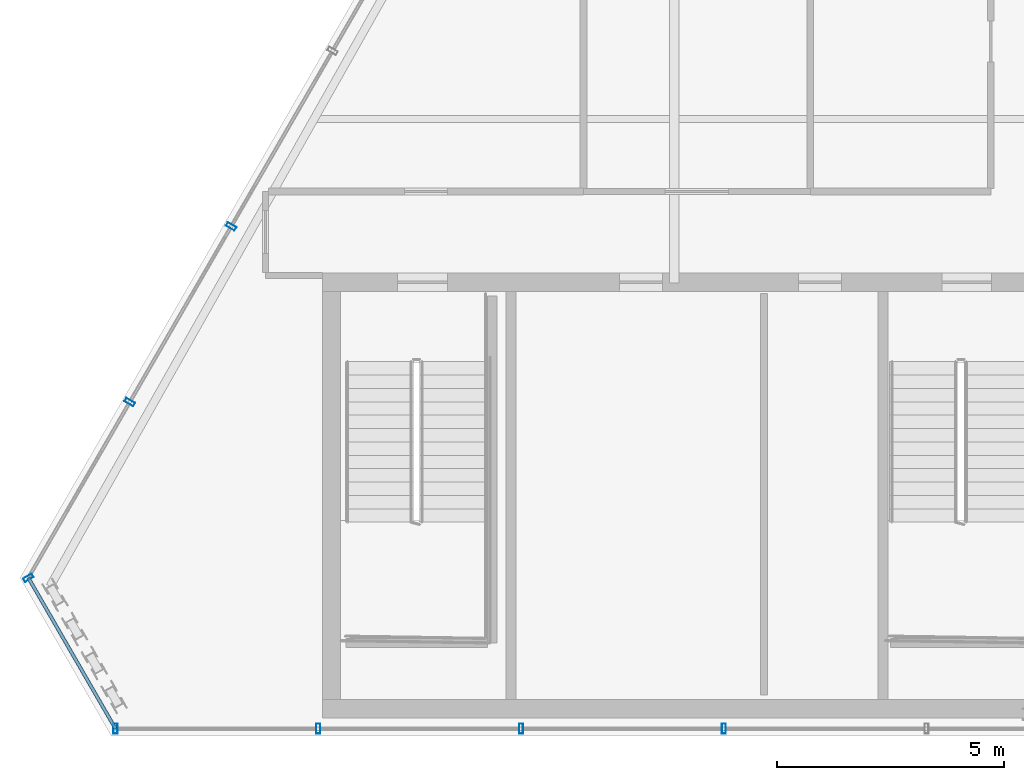
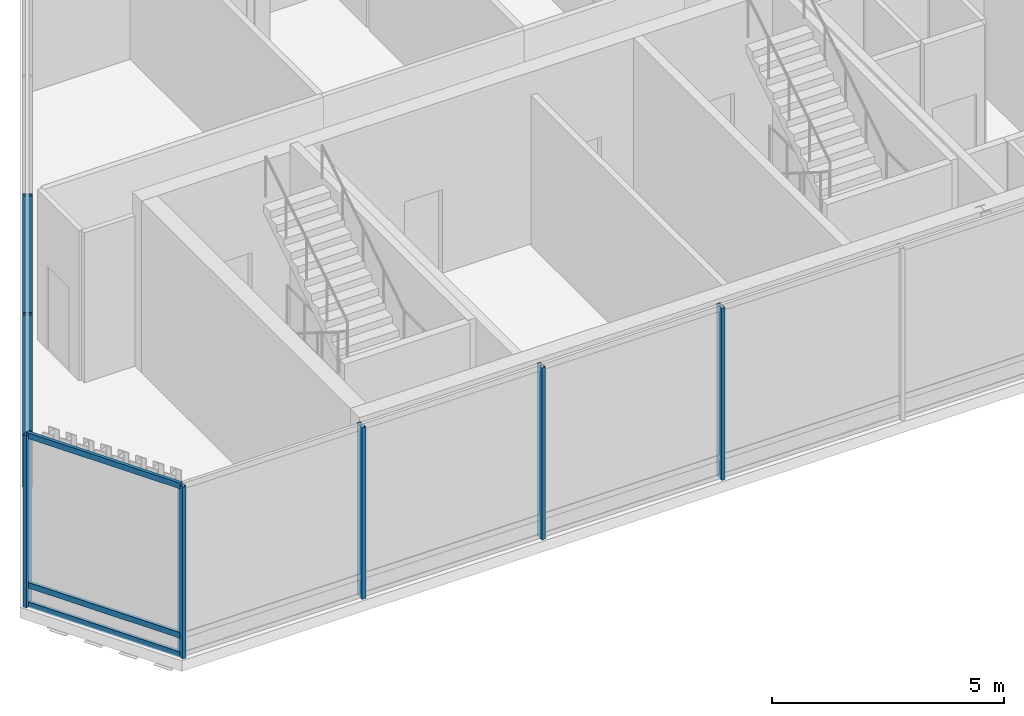
# One storey, part 3 of 25: 10 members, 3 elements without a shape of their own.
"""IFC4 building model written with IfcOpenShell, lengths in metres."""

from ifc_helpers import new_model, si_unit, direction, frame, origin, origin_2d, place, context, subcontext, project, spatial, hollow_rectangle, extrude, material, layer, layer_set, material_profile, profile_set, type_object, element, aggregate, save


model = new_model("IFC4")

# Units and contexts
model_context = context("Model", 3, precision=1e-05, world=origin(), true_north=direction((0.0, 1.0)))
body_context = subcontext(model_context, "Body", "Model", "MODEL_VIEW")
ifc_project = project(units=[si_unit("LENGTHUNIT", "METRE"), si_unit("AREAUNIT", "SQUARE_METRE"), si_unit("VOLUMEUNIT", "CUBIC_METRE"), si_unit("PLANEANGLEUNIT", "RADIAN"), si_unit("MASSUNIT", "GRAM", prefix="KILO")], contexts=[model_context])

# Site, building, storey
site_placement = place(None, origin())
site = spatial("IfcSite", under=ifc_project, at=site_placement, CompositionType="ELEMENT")
building_placement = place(site_placement, origin())
building = spatial("IfcBuilding", under=site, at=building_placement, Name="Ndaravel Arena Tower", CompositionType="ELEMENT")
storey_placement = place(building_placement, frame((0.0, 0.0, 298.5)))
storey = spatial("IfcBuildingStorey", under=building, at=storey_placement, Name="L73", CompositionType="ELEMENT", Elevation=298.5)

# Curtain wall, members
ifc_material_1 = material(Name="Aluminium", Category="aluminium")
ifc_layer = layer(ifc_material_1, 0.179931640625)
ifc_layer_set = layer_set([ifc_layer], Name="Aluminium")
curtain_wall_type = type_object("IfcCurtainWallType", Name="CW-SYS-04", PredefinedType="NOTDEFINED", material=ifc_layer_set)
curtain_wall_1_placement = place(storey_placement, origin())
curtain_wall_1 = element("IfcCurtainWall", 1, at=curtain_wall_1_placement, inside=storey, type_object=curtain_wall_type, Name="L73 Faceted Crystal Curtain Wall CW-L73-E01", PredefinedType="NOTDEFINED")
ifc_material_2 = material(Name="Aluminium", Category="aluminium")
ifc_material_profile_1 = material_profile(ifc_material_2, hollow_rectangle(XDim=0.090087890625, YDim=0.219970703125, WallThickness=0.0048828125, at=origin_2d()), Name="CW MULLION 90x220x5")
ifc_profile_set_1 = profile_set([ifc_material_profile_1], Name="Aluminium")
member_type_1 = type_object("IfcMemberType", Name="MEM-CW-MUL220", PredefinedType="MULLION", material=ifc_profile_set_1)
member_1_placement = place(storey_placement, frame((21.885009765625, 5.159912109375, 0.0), z_axis=(0.0, 0.0, 1.0), x_axis=(1.0, 0.0, 0.0)))
member_1 = element("IfcMember", 2, at=member_1_placement, type_object=member_type_1, Name="CW-L73-E01 Mullion 00", PredefinedType="MULLION", context=body_context, shape_type="SweptSolid", body=[
    extrude(hollow_rectangle(XDim=0.090087890625, YDim=0.219970703125, WallThickness=0.0048828125, at=origin_2d()), origin(), (0.0, 0.0, 1.0), 4.52001953125),
])
member_2_placement = place(storey_placement, frame((26.35498046875, 5.159912109375, 0.0), z_axis=(0.0, 0.0, 1.0), x_axis=(1.0, 0.0, 0.0)))
member_2 = element("IfcMember", 3, at=member_2_placement, type_object=member_type_1, Name="CW-L73-E01 Mullion 01", PredefinedType="MULLION", context=body_context, shape_type="SweptSolid", body=[
    extrude(hollow_rectangle(XDim=0.090087890625, YDim=0.219970703125, WallThickness=0.0048828125, at=origin_2d()), origin(), (0.0, 0.0, 1.0), 4.52001953125),
])
member_3_placement = place(storey_placement, frame((30.824951171875, 5.159912109375, 0.0), z_axis=(0.0, 0.0, 1.0), x_axis=(1.0, 0.0, 0.0)))
member_3 = element("IfcMember", 4, at=member_3_placement, type_object=member_type_1, Name="CW-L73-E01 Mullion 02", PredefinedType="MULLION", context=body_context, shape_type="SweptSolid", body=[
    extrude(hollow_rectangle(XDim=0.090087890625, YDim=0.219970703125, WallThickness=0.0048828125, at=origin_2d()), origin(), (0.0, 0.0, 1.0), 4.52001953125),
])
member_4_placement = place(storey_placement, frame((35.294921875, 5.159912109375, 0.0), z_axis=(0.0, 0.0, 1.0), x_axis=(1.0, 0.0, 0.0)))
member_4 = element("IfcMember", 5, at=member_4_placement, type_object=member_type_1, Name="CW-L73-E01 Mullion 03", PredefinedType="MULLION", context=body_context, shape_type="SweptSolid", body=[
    extrude(hollow_rectangle(XDim=0.090087890625, YDim=0.219970703125, WallThickness=0.0048828125, at=origin_2d()), origin(), (0.0, 0.0, 1.0), 4.52001953125),
])
aggregate(curtain_wall_1, [member_1, member_2, member_3, member_4])

curtain_wall_2_placement = place(storey_placement, origin())
curtain_wall_2 = element("IfcCurtainWall", 6, at=curtain_wall_2_placement, inside=storey, type_object=curtain_wall_type, Name="L73 Faceted Crystal Curtain Wall CW-L73-E05", PredefinedType="NOTDEFINED")
member_5_placement = place(storey_placement, frame((24.435302734375, 16.2275390625, 0.0), z_axis=(0.0, 0.0, 1.0), x_axis=(-0.5, -0.866025403784, 0.0)))
member_5 = element("IfcMember", 7, at=member_5_placement, type_object=member_type_1, Name="CW-L73-E05 Mullion 07", PredefinedType="MULLION", context=body_context, shape_type="SweptSolid", body=[
    extrude(hollow_rectangle(XDim=0.090087890625, YDim=0.219970703125, WallThickness=0.0048828125, at=origin_2d()), origin(), (0.0, 0.0, 1.0), 4.52001953125),
])
member_6_placement = place(storey_placement, frame((22.2001953125, 12.356201171875, 0.0), z_axis=(0.0, 0.0, 1.0), x_axis=(-0.5, -0.866025403784, 0.0)))
member_6 = element("IfcMember", 8, at=member_6_placement, type_object=member_type_1, Name="CW-L73-E05 Mullion 08", PredefinedType="MULLION", context=body_context, shape_type="SweptSolid", body=[
    extrude(hollow_rectangle(XDim=0.090087890625, YDim=0.219970703125, WallThickness=0.0048828125, at=origin_2d()), origin(), (0.0, 0.0, 1.0), 4.52001953125),
])
aggregate(curtain_wall_2, [member_5, member_6])

curtain_wall_3_placement = place(storey_placement, origin())
curtain_wall_3 = element("IfcCurtainWall", 9, at=curtain_wall_3_placement, inside=storey, type_object=curtain_wall_type, Name="L73 Faceted Crystal Curtain Wall CW-L73-E06", PredefinedType="NOTDEFINED")
member_7_placement = place(storey_placement, frame((19.965087890625, 8.485107421875, 0.0), z_axis=(0.0, 0.0, 1.0), x_axis=(0.5, -0.866025403784, 0.0)))
member_7 = element("IfcMember", 10, at=member_7_placement, type_object=member_type_1, Name="CW-L73-E06 Mullion 00", PredefinedType="MULLION", context=body_context, shape_type="SweptSolid", body=[
    extrude(hollow_rectangle(XDim=0.090087890625, YDim=0.219970703125, WallThickness=0.0048828125, at=origin_2d()), origin(), (0.0, 0.0, 1.0), 4.52001953125),
])
ifc_material_3 = material(Name="Aluminium", Category="aluminium")
ifc_material_profile_2 = material_profile(ifc_material_3, hollow_rectangle(XDim=0.074951171875, YDim=0.14990234375, WallThickness=0.00390625, at=origin_2d()), Name="CW TRANSOM 75x150x4")
ifc_profile_set_2 = profile_set([ifc_material_profile_2], Name="Aluminium")
member_type_2 = type_object("IfcMemberType", Name="MEM-CW-TRN150", PredefinedType="USERDEFINED", material=ifc_profile_set_2)
member_8_placement = place(storey_placement, frame((19.965087890625, 8.485107421875, 0.0400390625), z_axis=(0.500023335103, -0.866011930837, 0.0), x_axis=(0.866011930837, 0.500023335103, 0.0)))
member_8 = element("IfcMember", 11, at=member_8_placement, type_object=member_type_2, Name="CW-L73-E06 Transom 01", ObjectType="TRANSOM", PredefinedType="USERDEFINED", context=body_context, shape_type="SweptSolid", body=[
    extrude(hollow_rectangle(XDim=0.074951171875, YDim=0.14990234375, WallThickness=0.00390625, at=origin_2d()), origin(), (0.0, 0.0, 1.0), 3.839599609375),
])
member_9_placement = place(storey_placement, frame((19.965087890625, 8.485107421875, 0.550048828125), z_axis=(0.500023335103, -0.866011930837, 0.0), x_axis=(0.866011930837, 0.500023335103, 0.0)))
member_9 = element("IfcMember", 12, at=member_9_placement, type_object=member_type_2, Name="CW-L73-E06 Transom 02", ObjectType="TRANSOM", PredefinedType="USERDEFINED", context=body_context, shape_type="SweptSolid", body=[
    extrude(hollow_rectangle(XDim=0.074951171875, YDim=0.14990234375, WallThickness=0.00390625, at=origin_2d()), origin(), (0.0, 0.0, 1.0), 3.839599609375),
])
member_10_placement = place(storey_placement, frame((19.965087890625, 8.485107421875, 4.47998046875), z_axis=(0.500023335103, -0.866011930837, 0.0), x_axis=(0.866011930837, 0.500023335103, 0.0)))
member_10 = element("IfcMember", 13, at=member_10_placement, type_object=member_type_2, Name="CW-L73-E06 Transom 03", ObjectType="TRANSOM", PredefinedType="USERDEFINED", context=body_context, shape_type="SweptSolid", body=[
    extrude(hollow_rectangle(XDim=0.074951171875, YDim=0.14990234375, WallThickness=0.00390625, at=origin_2d()), origin(), (0.0, 0.0, 1.0), 3.839599609375),
])
aggregate(curtain_wall_3, [member_7, member_8, member_9, member_10])

save(model, "model.ifc")
